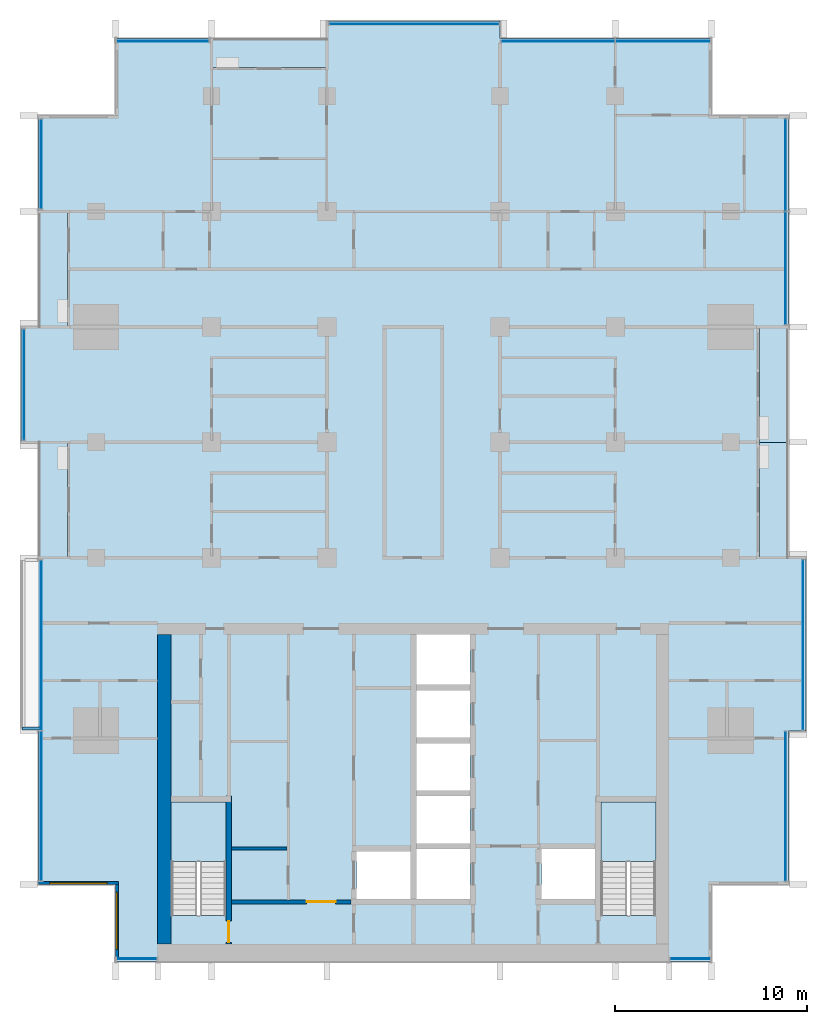
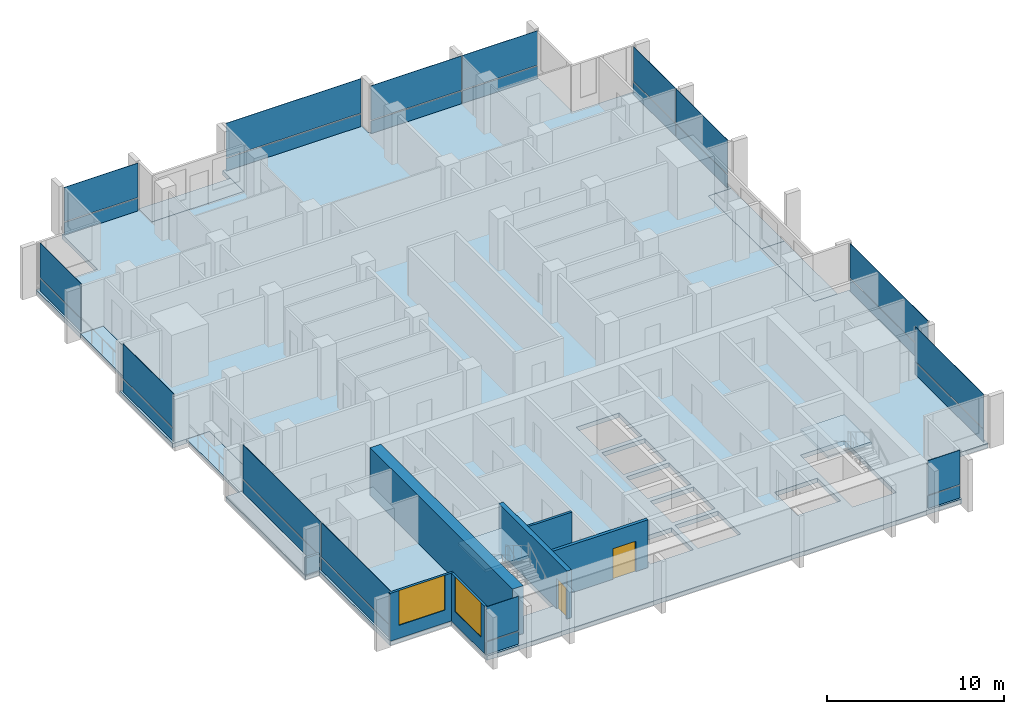
# One storey, part 6 of 17: 28 plates, 8 slabs, 7 walls, 2 doors, 2 windows, 4 openings, 13 elements without a shape of their own.
"""IFC4 building model written with IfcOpenShell, lengths in metres."""

from ifc_helpers import new_model, si_unit, direction, frame, frame_2d, origin, origin_2d, place, context, subcontext, project, spatial, polyline, rectangle, outline, extrude, material, layer, layer_set, type_object, element, fill, aggregate, save


model = new_model("IFC4")

# Units and contexts
model_context = context("Model", 3, precision=1e-05, world=origin(), true_north=direction((0.0, 1.0)))
body_context = subcontext(model_context, "Body", "Model", "MODEL_VIEW")
ifc_project = project(units=[si_unit("LENGTHUNIT", "METRE"), si_unit("AREAUNIT", "SQUARE_METRE"), si_unit("VOLUMEUNIT", "CUBIC_METRE"), si_unit("PLANEANGLEUNIT", "RADIAN"), si_unit("MASSUNIT", "GRAM", prefix="KILO")], contexts=[model_context])

# Site, building, storey
site_placement = place(None, origin())
site = spatial("IfcSite", under=ifc_project, at=site_placement, CompositionType="ELEMENT")
building_placement = place(site_placement, origin())
building = spatial("IfcBuilding", under=site, at=building_placement, Name="Finial Court Residences", CompositionType="ELEMENT")
storey_placement = place(building_placement, frame((0.0, 0.0, 167.300048828125)))
storey = spatial("IfcBuildingStorey", under=building, at=storey_placement, Name="L41", CompositionType="ELEMENT", Elevation=167.300048828125)

# Slabs
ifc_material_1 = material(Name="Concrete C35/45", Category="concrete")
ifc_layer_1 = layer(ifc_material_1, 0.199951171875)
ifc_layer_set_1 = layer_set([ifc_layer_1], Name="Balcony slab, Concrete C35/45 200")
slab_type_1 = type_object("IfcSlabType", Name="Balcony slab, Concrete C35/45 200", PredefinedType="FLOOR", material=ifc_layer_set_1)
slab_1_placement = place(storey_placement, frame((0.0, 0.0, -0.199951171875)))
element("IfcSlab", 1, at=slab_1_placement, inside=storey, type_object=slab_type_1, Name="Balcony L41-N2", PredefinedType="FLOOR", context=body_context, shape_type="SweptSolid", body=[
    extrude(outline(polyline([(-4.5, 21.0), (-4.5, 22.5), (-10.5, 22.5), (-10.5, 21.0), (-4.5, 21.0)])), origin(), (0.0, 0.0, 1.0), 0.199951171875),
])
slab_2_placement = place(storey_placement, frame((0.0, 0.0, -0.199951171875)))
element("IfcSlab", 2, at=slab_2_placement, inside=storey, type_object=slab_type_1, Name="Balcony L41-E3", PredefinedType="FLOOR", context=body_context, shape_type="SweptSolid", body=[
    extrude(outline(polyline([(19.5, -4.5), (19.5, 1.5), (18.0, 1.5), (18.0, -4.5), (19.5, -4.5)])), origin(), (0.0, 0.0, 1.0), 0.199951171875),
])
slab_3_placement = place(storey_placement, frame((0.0, 0.0, -0.199951171875)))
element("IfcSlab", 3, at=slab_3_placement, inside=storey, type_object=slab_type_1, Name="Balcony L41-E4", PredefinedType="FLOOR", context=body_context, shape_type="SweptSolid", body=[
    extrude(outline(polyline([(19.5, 1.5), (19.5, 7.5), (18.0, 7.5), (18.0, 1.5), (19.5, 1.5)])), origin(), (0.0, 0.0, 1.0), 0.199951171875),
])
slab_4_placement = place(storey_placement, frame((0.0, 0.0, -0.199951171875)))
element("IfcSlab", 4, at=slab_4_placement, inside=storey, type_object=slab_type_1, Name="Balcony L41-W3", PredefinedType="FLOOR", context=body_context, shape_type="SweptSolid", body=[
    extrude(outline(polyline([(-18.0, -4.5), (-18.0, 1.5), (-19.5, 1.5), (-19.5, -4.5), (-18.0, -4.5)])), origin(), (0.0, 0.0, 1.0), 0.199951171875),
])
slab_5_placement = place(storey_placement, frame((0.0, 0.0, -0.199951171875)))
element("IfcSlab", 5, at=slab_5_placement, inside=storey, type_object=slab_type_1, Name="Balcony L41-W5", PredefinedType="FLOOR", context=body_context, shape_type="SweptSolid", body=[
    extrude(outline(polyline([(-18.0, 7.5), (-18.0, 13.5), (-19.5, 13.5), (-19.5, 7.5), (-18.0, 7.5)])), origin(), (0.0, 0.0, 1.0), 0.199951171875),
])

# Curtain wall, plate
ifc_material_2 = material(Name="Bronze anodised aluminium", Category="aluminium")
curtain_wall_type = type_object("IfcCurtainWallType", Name="Unitised curtain wall, upper zones", PredefinedType="NOTDEFINED", material=ifc_material_2)
curtain_wall_1_placement = place(storey_placement, origin())
curtain_wall_1 = element("IfcCurtainWall", 6, at=curtain_wall_1_placement, inside=storey, type_object=curtain_wall_type, Name="E-L41-CW-N1", PredefinedType="NOTDEFINED")
ifc_layer_2 = layer(ifc_material_2, 0.035888671875)
ifc_layer_set_2 = layer_set([ifc_layer_2], Name="CW2 spandrel panel 36")
plate_type_1 = type_object("IfcPlateType", Name="CW2 spandrel panel 36", PredefinedType="CURTAIN_PANEL", material=ifc_layer_set_2)
plate_1_placement = place(storey_placement, frame((-13.03759765625, 22.35009765625, 0.0), z_axis=(0.0, 0.0, 1.0), x_axis=(1.0, 0.0, 0.0)))
plate_1 = element("IfcPlate", 7, at=plate_1_placement, type_object=plate_type_1, Name="CW2 spandrel 1.1", PredefinedType="CURTAIN_PANEL", context=body_context, shape_type="SweptSolid", body=[
    extrude(rectangle(XDim=4.804931640625, YDim=0.035888671875, at=origin_2d()), origin(), (0.0, 0.0, 1.0), 0.8701171875),
])

curtain_wall_2_placement = place(storey_placement, origin())
curtain_wall_2 = element("IfcCurtainWall", 8, at=curtain_wall_2_placement, inside=storey, type_object=curtain_wall_type, Name="E-L41-CW-N2", PredefinedType="NOTDEFINED")
plate_2_placement = place(storey_placement, frame((0.03759765625, 23.25, 0.0), z_axis=(0.0, 0.0, 1.0), x_axis=(1.0, 0.0, 0.0)))
plate_2 = element("IfcPlate", 9, at=plate_2_placement, type_object=plate_type_1, Name="CW2 spandrel 1.1", PredefinedType="CURTAIN_PANEL", context=body_context, shape_type="SweptSolid", body=[
    extrude(rectangle(XDim=8.804931640625, YDim=0.035888671875, at=origin_2d()), origin(), (0.0, 0.0, 1.0), 0.8701171875),
])

# Curtain wall, plates
curtain_wall_3_placement = place(storey_placement, origin())
curtain_wall_3 = element("IfcCurtainWall", 10, at=curtain_wall_3_placement, inside=storey, type_object=curtain_wall_type, Name="E-L41-CW-N3", PredefinedType="NOTDEFINED")
plate_3_placement = place(storey_placement, frame((7.514892578125, 22.35009765625, 0.0), z_axis=(0.0, 0.0, 1.0), x_axis=(1.0, 0.0, 0.0)))
plate_3 = element("IfcPlate", 11, at=plate_3_placement, type_object=plate_type_1, Name="CW2 spandrel 1.1", PredefinedType="CURTAIN_PANEL", context=body_context, shape_type="SweptSolid", body=[
    extrude(rectangle(XDim=5.909912109375, YDim=0.035888671875, at=origin_2d()), origin(), (0.0, 0.0, 1.0), 0.8701171875),
])
plate_4_placement = place(storey_placement, frame((12.985107421875, 22.35009765625, 0.0), z_axis=(0.0, 0.0, 1.0), x_axis=(1.0, 0.0, 0.0)))
plate_4 = element("IfcPlate", 12, at=plate_4_placement, type_object=plate_type_1, Name="CW2 spandrel 2.1", PredefinedType="CURTAIN_PANEL", context=body_context, shape_type="SweptSolid", body=[
    extrude(rectangle(XDim=4.909912109375, YDim=0.035888671875, at=origin_2d()), origin(), (0.0, 0.0, 1.0), 0.8701171875),
])

# Curtain wall, plate
curtain_wall_4_placement = place(storey_placement, origin())
curtain_wall_4 = element("IfcCurtainWall", 13, at=curtain_wall_4_placement, inside=storey, type_object=curtain_wall_type, Name="E-L41-CW-E4", PredefinedType="NOTDEFINED")
plate_5_placement = place(storey_placement, frame((19.35009765625, -17.425048828125, 0.0), z_axis=(0.0, 0.0, 1.0), x_axis=(0.0, 1.0, 0.0)))
plate_5 = element("IfcPlate", 14, at=plate_5_placement, type_object=plate_type_1, Name="CW2 spandrel 1.1", PredefinedType="CURTAIN_PANEL", context=body_context, shape_type="SweptSolid", body=[
    extrude(rectangle(XDim=7.72998046875, YDim=0.035888671875, at=origin_2d()), origin(), (0.0, 0.0, 1.0), 0.8701171875),
])

curtain_wall_5_placement = place(storey_placement, origin())
curtain_wall_5 = element("IfcCurtainWall", 15, at=curtain_wall_5_placement, inside=storey, type_object=curtain_wall_type, Name="E-L41-CW-E5", PredefinedType="NOTDEFINED")
plate_6_placement = place(storey_placement, frame((20.25, -9.03759765625, 0.0), z_axis=(0.0, 0.0, 1.0), x_axis=(0.0, 1.0, 0.0)))
plate_6 = element("IfcPlate", 16, at=plate_6_placement, type_object=plate_type_1, Name="CW2 spandrel 1.1", PredefinedType="CURTAIN_PANEL", context=body_context, shape_type="SweptSolid", body=[
    extrude(rectangle(XDim=8.804931640625, YDim=0.035888671875, at=origin_2d()), origin(), (0.0, 0.0, 1.0), 0.8701171875),
])

# Curtain wall, plates
curtain_wall_6_placement = place(storey_placement, origin())
curtain_wall_6 = element("IfcCurtainWall", 17, at=curtain_wall_6_placement, inside=storey, type_object=curtain_wall_type, Name="E-L41-CW-E6", PredefinedType="NOTDEFINED")
plate_7_placement = place(storey_placement, frame((19.35009765625, 10.552490234375, 0.0), z_axis=(0.0, 0.0, 1.0), x_axis=(0.0, 1.0, 0.0)))
plate_7 = element("IfcPlate", 18, at=plate_7_placement, type_object=plate_type_1, Name="CW2 spandrel 1.1", PredefinedType="CURTAIN_PANEL", context=body_context, shape_type="SweptSolid", body=[
    extrude(rectangle(XDim=5.8349609375, YDim=0.035888671875, at=origin_2d()), origin(), (0.0, 0.0, 1.0), 0.8701171875),
])
plate_8_placement = place(storey_placement, frame((19.35009765625, 15.909912109375, 0.0), z_axis=(0.0, 0.0, 1.0), x_axis=(0.0, 1.0, 0.0)))
plate_8 = element("IfcPlate", 19, at=plate_8_placement, type_object=plate_type_1, Name="CW2 spandrel 2.1", PredefinedType="CURTAIN_PANEL", context=body_context, shape_type="SweptSolid", body=[
    extrude(rectangle(XDim=4.760009765625, YDim=0.035888671875, at=origin_2d()), origin(), (0.0, 0.0, 1.0), 0.8701171875),
])

# Curtain wall, plate
curtain_wall_7_placement = place(storey_placement, origin())
curtain_wall_7 = element("IfcCurtainWall", 20, at=curtain_wall_7_placement, inside=storey, type_object=curtain_wall_type, Name="E-L41-CW-S7", PredefinedType="NOTDEFINED")
plate_9_placement = place(storey_placement, frame((-14.39990234375, -25.35009765625, 0.0), z_axis=(0.0, 0.0, 1.0), x_axis=(1.0, 0.0, 0.0)))
plate_9 = element("IfcPlate", 21, at=plate_9_placement, type_object=plate_type_1, Name="CW2 spandrel 1.1", PredefinedType="CURTAIN_PANEL", context=body_context, shape_type="SweptSolid", body=[
    extrude(rectangle(XDim=2.080078125, YDim=0.035888671875, at=origin_2d()), origin(), (0.0, 0.0, 1.0), 0.8701171875),
])

curtain_wall_8_placement = place(storey_placement, origin())
curtain_wall_8 = element("IfcCurtainWall", 22, at=curtain_wall_8_placement, inside=storey, type_object=curtain_wall_type, Name="E-L41-CW-S8", PredefinedType="NOTDEFINED")
plate_10_placement = place(storey_placement, frame((14.39990234375, -25.35009765625, 0.0), z_axis=(0.0, 0.0, 1.0), x_axis=(1.0, 0.0, 0.0)))
plate_10 = element("IfcPlate", 23, at=plate_10_placement, type_object=plate_type_1, Name="CW2 spandrel 1.1", PredefinedType="CURTAIN_PANEL", context=body_context, shape_type="SweptSolid", body=[
    extrude(rectangle(XDim=2.080078125, YDim=0.035888671875, at=origin_2d()), origin(), (0.0, 0.0, 1.0), 0.8701171875),
])

# Curtain wall, plates
curtain_wall_9_placement = place(storey_placement, origin())
curtain_wall_9 = element("IfcCurtainWall", 24, at=curtain_wall_9_placement, inside=storey, type_object=curtain_wall_type, Name="E-L41-CW-W9", PredefinedType="NOTDEFINED")
plate_11_placement = place(storey_placement, frame((-19.35009765625, -17.409912109375, 0.0), z_axis=(0.0, 0.0, 1.0), x_axis=(0.0, 1.0, 0.0)))
plate_11 = element("IfcPlate", 25, at=plate_11_placement, type_object=plate_type_1, Name="CW2 spandrel 1.1", PredefinedType="CURTAIN_PANEL", context=body_context, shape_type="SweptSolid", body=[
    extrude(rectangle(XDim=7.760009765625, YDim=0.035888671875, at=origin_2d()), origin(), (0.0, 0.0, 1.0), 0.8701171875),
])
plate_12_placement = place(storey_placement, frame((-19.35009765625, -9.052490234375, 0.0), z_axis=(0.0, 0.0, 1.0), x_axis=(0.0, 1.0, 0.0)))
plate_12 = element("IfcPlate", 26, at=plate_12_placement, type_object=plate_type_1, Name="CW2 spandrel 2.1", PredefinedType="CURTAIN_PANEL", context=body_context, shape_type="SweptSolid", body=[
    extrude(rectangle(XDim=8.8349609375, YDim=0.035888671875, at=origin_2d()), origin(), (0.0, 0.0, 1.0), 0.8701171875),
])

# Curtain wall, plate
curtain_wall_10_placement = place(storey_placement, origin())
curtain_wall_10 = element("IfcCurtainWall", 27, at=curtain_wall_10_placement, inside=storey, type_object=curtain_wall_type, Name="E-L41-CW-W10", PredefinedType="NOTDEFINED")
plate_13_placement = place(storey_placement, frame((-20.25, 4.5, 0.0), z_axis=(0.0, 0.0, 1.0), x_axis=(0.0, 1.0, 0.0)))
plate_13 = element("IfcPlate", 28, at=plate_13_placement, type_object=plate_type_1, Name="CW2 spandrel 1.1", PredefinedType="CURTAIN_PANEL", context=body_context, shape_type="SweptSolid", body=[
    extrude(rectangle(XDim=5.72998046875, YDim=0.035888671875, at=origin_2d()), origin(), (0.0, 0.0, 1.0), 0.8701171875),
])

curtain_wall_11_placement = place(storey_placement, origin())
curtain_wall_11 = element("IfcCurtainWall", 29, at=curtain_wall_11_placement, inside=storey, type_object=curtain_wall_type, Name="E-L41-CW-W11", PredefinedType="NOTDEFINED")
plate_14_placement = place(storey_placement, frame((-19.35009765625, 15.96240234375, 0.0), z_axis=(0.0, 0.0, 1.0), x_axis=(0.0, 1.0, 0.0)))
plate_14 = element("IfcPlate", 30, at=plate_14_placement, type_object=plate_type_1, Name="CW2 spandrel 1.1", PredefinedType="CURTAIN_PANEL", context=body_context, shape_type="SweptSolid", body=[
    extrude(rectangle(XDim=4.655029296875, YDim=0.035888671875, at=origin_2d()), origin(), (0.0, 0.0, 1.0), 0.8701171875),
])

# Plate
ifc_material_3 = material(Name="Clear low-e glass", Category="glass")
ifc_layer_3 = layer(ifc_material_3, 0.030029296875)
ifc_layer_set_3 = layer_set([ifc_layer_3], Name="CW2 vision glass 30")
plate_type_2 = type_object("IfcPlateType", Name="CW2 vision glass 30", PredefinedType="CURTAIN_PANEL", material=ifc_layer_set_3)
plate_15_placement = place(storey_placement, frame((-13.03759765625, 22.35009765625, 0.929931640625), z_axis=(0.0, 0.0, 1.0), x_axis=(1.0, 0.0, 0.0)))
plate_15 = element("IfcPlate", 31, at=plate_15_placement, type_object=plate_type_2, Name="CW2 glass 1.2", PredefinedType="CURTAIN_PANEL", context=body_context, shape_type="SweptSolid", body=[
    extrude(rectangle(XDim=4.804931640625, YDim=0.030029296875, at=origin_2d()), origin(), (0.0, 0.0, 1.0), 2.3701171875),
])

aggregate(curtain_wall_1, [plate_1, plate_15])

plate_16_placement = place(storey_placement, frame((0.03759765625, 23.25, 0.929931640625), z_axis=(0.0, 0.0, 1.0), x_axis=(1.0, 0.0, 0.0)))
plate_16 = element("IfcPlate", 32, at=plate_16_placement, type_object=plate_type_2, Name="CW2 glass 1.2", PredefinedType="CURTAIN_PANEL", context=body_context, shape_type="SweptSolid", body=[
    extrude(rectangle(XDim=8.804931640625, YDim=0.030029296875, at=origin_2d()), origin(), (0.0, 0.0, 1.0), 2.3701171875),
])

aggregate(curtain_wall_2, [plate_2, plate_16])

plate_17_placement = place(storey_placement, frame((7.514892578125, 22.35009765625, 0.929931640625), z_axis=(0.0, 0.0, 1.0), x_axis=(1.0, 0.0, 0.0)))
plate_17 = element("IfcPlate", 33, at=plate_17_placement, type_object=plate_type_2, Name="CW2 glass 1.2", PredefinedType="CURTAIN_PANEL", context=body_context, shape_type="SweptSolid", body=[
    extrude(rectangle(XDim=5.909912109375, YDim=0.030029296875, at=origin_2d()), origin(), (0.0, 0.0, 1.0), 2.3701171875),
])

plate_18_placement = place(storey_placement, frame((12.985107421875, 22.35009765625, 0.929931640625), z_axis=(0.0, 0.0, 1.0), x_axis=(1.0, 0.0, 0.0)))
plate_18 = element("IfcPlate", 34, at=plate_18_placement, type_object=plate_type_2, Name="CW2 glass 2.2", PredefinedType="CURTAIN_PANEL", context=body_context, shape_type="SweptSolid", body=[
    extrude(rectangle(XDim=4.909912109375, YDim=0.030029296875, at=origin_2d()), origin(), (0.0, 0.0, 1.0), 2.3701171875),
])

aggregate(curtain_wall_3, [plate_3, plate_17, plate_4, plate_18])

plate_19_placement = place(storey_placement, frame((19.35009765625, -17.425048828125, 0.929931640625), z_axis=(0.0, 0.0, 1.0), x_axis=(0.0, 1.0, 0.0)))
plate_19 = element("IfcPlate", 35, at=plate_19_placement, type_object=plate_type_2, Name="CW2 glass 1.2", PredefinedType="CURTAIN_PANEL", context=body_context, shape_type="SweptSolid", body=[
    extrude(rectangle(XDim=7.72998046875, YDim=0.030029296875, at=origin_2d()), origin(), (0.0, 0.0, 1.0), 2.3701171875),
])

aggregate(curtain_wall_4, [plate_5, plate_19])

plate_20_placement = place(storey_placement, frame((20.25, -9.03759765625, 0.929931640625), z_axis=(0.0, 0.0, 1.0), x_axis=(0.0, 1.0, 0.0)))
plate_20 = element("IfcPlate", 36, at=plate_20_placement, type_object=plate_type_2, Name="CW2 glass 1.2", PredefinedType="CURTAIN_PANEL", context=body_context, shape_type="SweptSolid", body=[
    extrude(rectangle(XDim=8.804931640625, YDim=0.030029296875, at=origin_2d()), origin(), (0.0, 0.0, 1.0), 2.3701171875),
])

aggregate(curtain_wall_5, [plate_6, plate_20])

plate_21_placement = place(storey_placement, frame((19.35009765625, 10.552490234375, 0.929931640625), z_axis=(0.0, 0.0, 1.0), x_axis=(0.0, 1.0, 0.0)))
plate_21 = element("IfcPlate", 37, at=plate_21_placement, type_object=plate_type_2, Name="CW2 glass 1.2", PredefinedType="CURTAIN_PANEL", context=body_context, shape_type="SweptSolid", body=[
    extrude(rectangle(XDim=5.8349609375, YDim=0.030029296875, at=origin_2d()), origin(), (0.0, 0.0, 1.0), 2.3701171875),
])

plate_22_placement = place(storey_placement, frame((19.35009765625, 15.909912109375, 0.929931640625), z_axis=(0.0, 0.0, 1.0), x_axis=(0.0, 1.0, 0.0)))
plate_22 = element("IfcPlate", 38, at=plate_22_placement, type_object=plate_type_2, Name="CW2 glass 2.2", PredefinedType="CURTAIN_PANEL", context=body_context, shape_type="SweptSolid", body=[
    extrude(rectangle(XDim=4.760009765625, YDim=0.030029296875, at=origin_2d()), origin(), (0.0, 0.0, 1.0), 2.3701171875),
])

aggregate(curtain_wall_6, [plate_7, plate_21, plate_8, plate_22])

plate_23_placement = place(storey_placement, frame((-14.39990234375, -25.35009765625, 0.929931640625), z_axis=(0.0, 0.0, 1.0), x_axis=(1.0, 0.0, 0.0)))
plate_23 = element("IfcPlate", 39, at=plate_23_placement, type_object=plate_type_2, Name="CW2 glass 1.2", PredefinedType="CURTAIN_PANEL", context=body_context, shape_type="SweptSolid", body=[
    extrude(rectangle(XDim=2.080078125, YDim=0.030029296875, at=origin_2d()), origin(), (0.0, 0.0, 1.0), 2.3701171875),
])

aggregate(curtain_wall_7, [plate_9, plate_23])

plate_24_placement = place(storey_placement, frame((14.39990234375, -25.35009765625, 0.929931640625), z_axis=(0.0, 0.0, 1.0), x_axis=(1.0, 0.0, 0.0)))
plate_24 = element("IfcPlate", 40, at=plate_24_placement, type_object=plate_type_2, Name="CW2 glass 1.2", PredefinedType="CURTAIN_PANEL", context=body_context, shape_type="SweptSolid", body=[
    extrude(rectangle(XDim=2.080078125, YDim=0.030029296875, at=origin_2d()), origin(), (0.0, 0.0, 1.0), 2.3701171875),
])

aggregate(curtain_wall_8, [plate_10, plate_24])

plate_25_placement = place(storey_placement, frame((-19.35009765625, -17.409912109375, 0.929931640625), z_axis=(0.0, 0.0, 1.0), x_axis=(0.0, 1.0, 0.0)))
plate_25 = element("IfcPlate", 41, at=plate_25_placement, type_object=plate_type_2, Name="CW2 glass 1.2", PredefinedType="CURTAIN_PANEL", context=body_context, shape_type="SweptSolid", body=[
    extrude(rectangle(XDim=7.760009765625, YDim=0.030029296875, at=origin_2d()), origin(), (0.0, 0.0, 1.0), 2.3701171875),
])

plate_26_placement = place(storey_placement, frame((-19.35009765625, -9.052490234375, 0.929931640625), z_axis=(0.0, 0.0, 1.0), x_axis=(0.0, 1.0, 0.0)))
plate_26 = element("IfcPlate", 42, at=plate_26_placement, type_object=plate_type_2, Name="CW2 glass 2.2", PredefinedType="CURTAIN_PANEL", context=body_context, shape_type="SweptSolid", body=[
    extrude(rectangle(XDim=8.8349609375, YDim=0.030029296875, at=origin_2d()), origin(), (0.0, 0.0, 1.0), 2.3701171875),
])

aggregate(curtain_wall_9, [plate_11, plate_25, plate_12, plate_26])

plate_27_placement = place(storey_placement, frame((-20.25, 4.5, 0.929931640625), z_axis=(0.0, 0.0, 1.0), x_axis=(0.0, 1.0, 0.0)))
plate_27 = element("IfcPlate", 43, at=plate_27_placement, type_object=plate_type_2, Name="CW2 glass 1.2", PredefinedType="CURTAIN_PANEL", context=body_context, shape_type="SweptSolid", body=[
    extrude(rectangle(XDim=5.72998046875, YDim=0.030029296875, at=origin_2d()), origin(), (0.0, 0.0, 1.0), 2.3701171875),
])

aggregate(curtain_wall_10, [plate_13, plate_27])

plate_28_placement = place(storey_placement, frame((-19.35009765625, 15.96240234375, 0.929931640625), z_axis=(0.0, 0.0, 1.0), x_axis=(0.0, 1.0, 0.0)))
plate_28 = element("IfcPlate", 44, at=plate_28_placement, type_object=plate_type_2, Name="CW2 glass 1.2", PredefinedType="CURTAIN_PANEL", context=body_context, shape_type="SweptSolid", body=[
    extrude(rectangle(XDim=4.655029296875, YDim=0.030029296875, at=origin_2d()), origin(), (0.0, 0.0, 1.0), 2.3701171875),
])

aggregate(curtain_wall_11, [plate_14, plate_28])

# Stair, slab
ifc_material_4 = material(Name="Concrete C50/60", Category="concrete")
stair_type = type_object("IfcStairType", Name="Exit stair 22 risers of 163.6 mm", PredefinedType="HALF_TURN_STAIR", material=ifc_material_4)
stair_1_placement = place(storey_placement, origin())
stair_1 = element("IfcStair", 45, at=stair_1_placement, inside=storey, type_object=stair_type, Name="L41 Exit stair ST-1", PredefinedType="HALF_TURN_STAIR")
ifc_layer_4 = layer(ifc_material_4, 0.199951171875)
ifc_layer_set_4 = layer_set([ifc_layer_4], Name="Exit stair landing")
slab_type_2 = type_object("IfcSlabType", Name="Exit stair landing", PredefinedType="LANDING", material=ifc_layer_set_4)
slab_6_placement = place(storey_placement, frame((0.0, 0.0, 1.599853515625)))
slab_6 = element("IfcSlab", 46, at=slab_6_placement, type_object=slab_type_2, Name="ST-1 landing 1", PredefinedType="LANDING", context=body_context, shape_type="SweptSolid", body=[
    extrude(outline(polyline([(-9.75, -20.300048828125), (-9.75, -17.199951171875), (-12.60009765625, -17.199951171875), (-12.60009765625, -20.300048828125), (-9.75, -20.300048828125)])), origin(), (0.0, 0.0, 1.0), 0.2001953125),
])
aggregate(stair_1, [slab_6])

stair_2_placement = place(storey_placement, origin())
stair_2 = element("IfcStair", 47, at=stair_2_placement, inside=storey, type_object=stair_type, Name="L41 Exit stair ST-2", PredefinedType="HALF_TURN_STAIR")
slab_7_placement = place(storey_placement, frame((0.0, 0.0, 1.599853515625)))
slab_7 = element("IfcSlab", 48, at=slab_7_placement, type_object=slab_type_2, Name="ST-2 landing 1", PredefinedType="LANDING", context=body_context, shape_type="SweptSolid", body=[
    extrude(outline(polyline([(12.60009765625, -20.300048828125), (12.60009765625, -17.199951171875), (9.75, -17.199951171875), (9.75, -20.300048828125), (12.60009765625, -20.300048828125)])), origin(), (0.0, 0.0, 1.0), 0.2001953125),
])
aggregate(stair_2, [slab_7])

# Slab
ifc_material_5 = material(Name="Concrete C40/50", Category="concrete")
ifc_layer_5 = layer(ifc_material_5, 0.300048828125)
ifc_layer_set_5 = layer_set([ifc_layer_5], Name="Flat plate slab 300 Concrete C40/50")
slab_type_3 = type_object("IfcSlabType", Name="Flat plate slab 300 Concrete C40/50", PredefinedType="FLOOR", material=ifc_layer_set_5)
slab_8_placement = place(storey_placement, frame((0.0, 0.0, -0.300048828125)))
element("IfcSlab", 49, at=slab_8_placement, inside=storey, type_object=slab_type_3, Name="S:SLAB:L41", PredefinedType="FLOOR", context=body_context, shape_type="SweptSolid", body=[
    extrude(outline(polyline([(-20.39990234375, -13.5), (-20.39990234375, -4.5), (-19.5, -4.5), (-18.0, -4.5), (-18.0, 1.5), (-19.5, 1.5), (-20.39990234375, 1.5), (-20.39990234375, 7.5), (-19.5, 7.5), (-18.0, 7.5), (-18.0, 13.5), (-19.5, 13.5), (-19.5, 18.5), (-15.5, 18.5), (-15.5, 22.5), (-10.5, 22.5), (-10.5, 21.0), (-4.5, 21.0), (-4.5, 22.5), (-4.5, 23.39990234375), (4.5, 23.39990234375), (4.5, 22.5), (15.5, 22.5), (15.5, 18.5), (19.5, 18.5), (19.5, 7.5), (18.0, 7.5), (18.0, 1.5), (18.0, -4.5), (19.5, -4.5), (20.39990234375, -4.5), (20.39990234375, -13.5), (19.5, -13.5), (19.5, -21.5), (15.5, -21.5), (15.5, -25.5), (-15.5, -25.5), (-15.5, -21.5), (-19.5, -21.5), (-19.5, -13.5), (-20.39990234375, -13.5)]), holes=[polyline([(-0.14990234375, -19.77001953125), (-2.949951171875, -19.77001953125), (-2.949951171875, -22.25), (-0.14990234375, -22.25), (-0.14990234375, -19.77001953125)]), polyline([(2.949951171875, -19.64990234375), (0.14990234375, -19.64990234375), (0.14990234375, -22.25), (2.949951171875, -22.25), (2.949951171875, -19.64990234375)]), polyline([(9.449951171875, -19.64990234375), (6.64990234375, -19.64990234375), (6.64990234375, -22.25), (9.449951171875, -22.25), (9.449951171875, -19.64990234375)]), polyline([(-12.60009765625, -17.199951171875), (-12.60009765625, -23.09912109375), (-9.75, -23.09912109375), (-9.75, -17.199951171875), (-12.60009765625, -17.199951171875)]), polyline([(9.75, -17.199951171875), (9.75, -23.09912109375), (12.60009765625, -23.09912109375), (12.60009765625, -17.199951171875), (9.75, -17.199951171875)]), polyline([(2.949951171875, -16.89990234375), (0.14990234375, -16.89990234375), (0.14990234375, -19.35009765625), (2.949951171875, -19.35009765625), (2.949951171875, -16.89990234375)]), polyline([(2.949951171875, -14.14990234375), (0.14990234375, -14.14990234375), (0.14990234375, -16.60009765625), (2.949951171875, -16.60009765625), (2.949951171875, -14.14990234375)]), polyline([(2.949951171875, -13.85009765625), (2.949951171875, -11.39990234375), (0.14990234375, -11.39990234375), (0.14990234375, -13.85009765625), (2.949951171875, -13.85009765625)]), polyline([(2.949951171875, -11.10009765625), (2.949951171875, -8.5), (0.14990234375, -8.5), (0.14990234375, -11.10009765625), (2.949951171875, -11.10009765625)])]), origin(), (0.0, 0.0, 1.0), 0.300048828125),
])

# Walls
ifc_material_6 = material(Name="Concrete C70/85", Category="concrete")
ifc_layer_6 = layer(ifc_material_6, 0.699951171875)
ifc_layer_set_6 = layer_set([ifc_layer_6], Name="Core outer wall 700 Concrete C70/85")
wall_type_1 = type_object("IfcWallType", Name="Core outer wall 700 Concrete C70/85", PredefinedType="SHEAR", material=ifc_layer_set_6)
wall_1_placement = place(storey_placement, frame((-12.949951171875, -24.60009765625, 0.0), z_axis=(0.0, 0.0, 1.0), x_axis=(0.0, 1.0, 0.0)))
element("IfcWall", 50, at=wall_1_placement, inside=storey, type_object=wall_type_1, Name="Core outer wall L41-03", PredefinedType="SHEAR", context=body_context, shape_type="SweptSolid", body=[
    extrude(rectangle(XDim=16.10009765625, YDim=0.699951171875, at=frame_2d((8.050048828125, 0.0))), origin(), (0.0, 0.0, 1.0), 3.300048828125),
])
ifc_material_7 = material(Name="Fire-rated gypsum board partition")
ifc_layer_7 = layer(ifc_material_7, 0.14990234375)
ifc_layer_set_7 = layer_set([ifc_layer_7], Name="Core room partition 150 EI 60")
wall_type_2 = type_object("IfcWallType", Name="Core room partition 150 EI 60", PredefinedType="PARTITIONING", material=ifc_layer_set_7)
wall_2_placement = place(storey_placement, frame((-9.449951171875, -19.6201171875, 0.0), z_axis=(0.0, 0.0, 1.0), x_axis=(1.0, 0.0, 0.0)))
element("IfcWall", 51, at=wall_2_placement, inside=storey, type_object=wall_type_2, Name="Core partition L41-04", PredefinedType="PARTITIONING", context=body_context, shape_type="SweptSolid", body=[
    extrude(rectangle(XDim=2.875, YDim=0.14990234375, at=frame_2d((1.4375, 0.0))), origin(), (0.0, 0.0, 1.0), 3.300048828125),
])
ifc_layer_8 = layer(ifc_material_1, 0.14990234375)
ifc_layer_set_8 = layer_set([ifc_layer_8], Name="Ledge parapet, Concrete C35/45 150")
wall_type_3 = type_object("IfcWallType", Name="Ledge parapet, Concrete C35/45 150", PredefinedType="PARAPET", material=ifc_layer_set_8)
wall_3_placement = place(storey_placement, frame((-19.447509765625, -13.375, 0.0), z_axis=(0.0, 0.0, 1.0), x_axis=(-1.0, 0.0, 0.0)))
element("IfcWall", 52, at=wall_3_placement, inside=storey, type_object=wall_type_3, Name="E-L41-LED1-P1", PredefinedType="PARAPET", context=body_context, shape_type="SweptSolid", body=[
    extrude(rectangle(XDim=0.902587890625, YDim=0.14990234375, at=frame_2d((0.451171875, 0.0))), origin(), (0.0, 0.0, 1.0), 1.14990234375),
])

# Wall, opening, door
ifc_layer_9 = layer(ifc_material_6, 0.300048828125)
ifc_layer_set_9 = layer_set([ifc_layer_9], Name="Lift shaft and stair wall 300 Concrete C70/85")
wall_type_4 = type_object("IfcWallType", Name="Lift shaft and stair wall 300 Concrete C70/85", PredefinedType="SHEAR", material=ifc_layer_set_9)
wall_4_placement = place(storey_placement, frame((-9.60009765625, -24.60009765625, 0.0), z_axis=(0.0, 0.0, 1.0), x_axis=(0.0, 1.0, 0.0)))
wall_4 = element("IfcWall", 53, at=wall_4_placement, inside=storey, type_object=wall_type_4, Name="Core wall L41-20", PredefinedType="SHEAR", context=body_context, shape_type="SweptSolid", body=[
    extrude(rectangle(XDim=7.7001953125, YDim=0.300048828125, at=frame_2d((3.85009765625, 0.0))), origin(), (0.0, 0.0, 1.0), 3.300048828125),
])
opening_1_placement = place(wall_4_placement, frame((0.10009765625, 0.0, 0.0)))
opening_1 = element("IfcOpeningElement", 54, at=opening_1_placement, cuts=wall_4, Name="Opening L41-C19", PredefinedType="OPENING", context=body_context, shape_type="SweptSolid", body=[
    extrude(rectangle(XDim=1.10009765625, YDim=2.10009765625, at=frame_2d((0.550048828125, 1.050048828125))), frame((0.0, 0.159912109375, 0.0), z_axis=(0.0, -1.0, 0.0), x_axis=(1.0, 0.0, 0.0)), (0.0, 0.0, 1.0), 0.320068359375),
])
ifc_material_8 = material(Name="Steel fire door", Category="steel")
door_type_1 = type_object("IfcDoorType", Name="Stair door 1100 x 2100 EI 90", OperationType="NOTDEFINED", PredefinedType="DOOR", material=ifc_material_8)
door_1_placement = place(opening_1_placement, origin())
door_1 = element("IfcDoor", 55, at=door_1_placement, inside=storey, type_object=door_type_1, Name="Stair door L41-C19", OperationType="SINGLE_SWING_LEFT", OverallHeight=2.10009765625, OverallWidth=1.10009765625, PredefinedType="DOOR", context=body_context, shape_type="SweptSolid", body=[
    extrude(rectangle(XDim=1.10009765625, YDim=2.10009765625, at=frame_2d((0.550048828125, 1.050048828125))), frame((0.0, 0.02490234375, 0.0), z_axis=(0.0, -1.0, 0.0), x_axis=(1.0, 0.0, 0.0)), (0.0, 0.0, 1.0), 0.050048828125),
])
fill(opening_1, door_1)

# Wall, opening, window
ifc_material_9 = material(Name="Natural limestone", Category="masonry")
ifc_layer_10 = layer(ifc_material_9, 0.14990234375)
ifc_layer_set_10 = layer_set([ifc_layer_10], Name="Limestone clad wall 150")
wall_type_5 = type_object("IfcWallType", Name="Limestone clad wall 150", PredefinedType="SOLIDWALL", material=ifc_layer_set_10)
wall_5_placement = place(storey_placement, frame((-15.425048828125, -25.262451171875, 0.0), z_axis=(0.0, 0.0, 1.0), x_axis=(0.0, 1.0, 0.0)))
wall_5 = element("IfcWall", 56, at=wall_5_placement, inside=storey, type_object=wall_type_5, Name="E-L41-NWW12", PredefinedType="SOLIDWALL", context=body_context, shape_type="SweptSolid", body=[
    extrude(rectangle(XDim=3.762451171875, YDim=0.14990234375, at=frame_2d((1.88134765625, 0.0))), origin(), (0.0, 0.0, 1.0), 3.300048828125),
])
opening_2_placement = place(wall_5_placement, frame((0.401123046875, 0.0, 0.89990234375)))
opening_2 = element("IfcOpeningElement", 57, at=opening_2_placement, cuts=wall_5, Name="Opening WE41-01", PredefinedType="OPENING", context=body_context, shape_type="SweptSolid", body=[
    extrude(rectangle(XDim=2.9599609375, YDim=2.39990234375, at=frame_2d((1.47998046875, 1.199951171875))), frame((0.0, 0.0849609375, 0.0), z_axis=(0.0, -1.0, 0.0), x_axis=(1.0, 0.0, 0.0)), (0.0, 0.0, 1.0), 0.169921875),
])
window_type_1 = type_object("IfcWindowType", Name="Corner window 2960 x 2400", PartitioningType="SINGLE_PANEL", PredefinedType="WINDOW", material=ifc_material_3)
window_1_placement = place(opening_2_placement, origin())
window_1 = element("IfcWindow", 58, at=window_1_placement, inside=storey, type_object=window_type_1, Name="E-L41-NWW12-W1", OverallHeight=2.39990234375, OverallWidth=2.9599609375, PartitioningType="SINGLE_PANEL", PredefinedType="WINDOW", context=body_context, shape_type="SweptSolid", body=[
    extrude(rectangle(XDim=2.9599609375, YDim=2.39990234375, at=frame_2d((1.47998046875, 1.199951171875))), frame((0.0, 0.030029296875, 0.0), z_axis=(0.0, -1.0, 0.0), x_axis=(1.0, 0.0, 0.0)), (0.0, 0.0, 1.0), 0.06005859375),
])
fill(opening_2, window_1)

wall_6_placement = place(storey_placement, frame((-15.35009765625, -21.425048828125, 0.0), z_axis=(0.0, 0.0, 1.0), x_axis=(-1.0, 0.0, 0.0)))
wall_6 = element("IfcWall", 59, at=wall_6_placement, inside=storey, type_object=wall_type_5, Name="E-L41-NWS13", PredefinedType="SOLIDWALL", context=body_context, shape_type="SweptSolid", body=[
    extrude(rectangle(XDim=4.14990234375, YDim=0.14990234375, at=frame_2d((2.074951171875, 0.0))), origin(), (0.0, 0.0, 1.0), 3.300048828125),
])
opening_3_placement = place(wall_6_placement, frame((0.574951171875, 0.0, 0.89990234375)))
opening_3 = element("IfcOpeningElement", 60, at=opening_3_placement, cuts=wall_6, Name="Opening WE41-02", PredefinedType="OPENING", context=body_context, shape_type="SweptSolid", body=[
    extrude(rectangle(XDim=3.0, YDim=2.39990234375, at=frame_2d((1.5, 1.199951171875))), frame((0.0, 0.0849609375, 0.0), z_axis=(0.0, -1.0, 0.0), x_axis=(1.0, 0.0, 0.0)), (0.0, 0.0, 1.0), 0.169921875),
])
window_type_2 = type_object("IfcWindowType", Name="Corner window 3000 x 2400", PartitioningType="SINGLE_PANEL", PredefinedType="WINDOW", material=ifc_material_3)
window_2_placement = place(opening_3_placement, origin())
window_2 = element("IfcWindow", 61, at=window_2_placement, inside=storey, type_object=window_type_2, Name="E-L41-NWS13-W1", OverallHeight=2.39990234375, OverallWidth=3.0, PartitioningType="SINGLE_PANEL", PredefinedType="WINDOW", context=body_context, shape_type="SweptSolid", body=[
    extrude(rectangle(XDim=3.0, YDim=2.39990234375, at=frame_2d((1.5, 1.199951171875))), frame((0.0, 0.030029296875, 0.0), z_axis=(0.0, -1.0, 0.0), x_axis=(1.0, 0.0, 0.0)), (0.0, 0.0, 1.0), 0.06005859375),
])
fill(opening_3, window_2)

# Wall, opening, door
ifc_layer_11 = layer(ifc_material_7, 0.199951171875)
ifc_layer_set_11 = layer_set([ifc_layer_11], Name="Stair passage wall 200 EI 180")
wall_type_6 = type_object("IfcWallType", Name="Stair passage wall 200 EI 180", PredefinedType="PARTITIONING", material=ifc_layer_set_11)
wall_7_placement = place(storey_placement, frame((-3.25, -22.39990234375, 0.0), z_axis=(0.0, 0.0, 1.0), x_axis=(-1.0, 0.0, 0.0)))
wall_7 = element("IfcWall", 62, at=wall_7_placement, inside=storey, type_object=wall_type_6, Name="Core partition L41-01", PredefinedType="PARTITIONING", context=body_context, shape_type="SweptSolid", body=[
    extrude(rectangle(XDim=6.199951171875, YDim=0.199951171875, at=frame_2d((3.10009765625, 0.0))), origin(), (0.0, 0.0, 1.0), 3.300048828125),
])
opening_4_placement = place(wall_7_placement, frame((0.800048828125, 0.0, 0.0)))
opening_4 = element("IfcOpeningElement", 63, at=opening_4_placement, cuts=wall_7, Name="Opening L41-C03", PredefinedType="OPENING", context=body_context, shape_type="SweptSolid", body=[
    extrude(rectangle(XDim=1.5, YDim=2.10009765625, at=frame_2d((0.75, 1.050048828125))), frame((0.0, 0.10986328125, 0.0), z_axis=(0.0, -1.0, 0.0), x_axis=(1.0, 0.0, 0.0)), (0.0, 0.0, 1.0), 0.219970703125),
])
door_type_2 = type_object("IfcDoorType", Name="Lift lobby door 1500 x 2100 EI 60", OperationType="DOUBLE_DOOR_SINGLE_SWING", PredefinedType="DOOR", material=ifc_material_8)
door_2_placement = place(opening_4_placement, origin())
door_2 = element("IfcDoor", 64, at=door_2_placement, inside=storey, type_object=door_type_2, Name="Lift lobby door L41-C03", OperationType="DOUBLE_DOOR_SINGLE_SWING", OverallHeight=2.10009765625, OverallWidth=1.5, PredefinedType="DOOR", context=body_context, shape_type="SweptSolid", body=[
    extrude(rectangle(XDim=1.5, YDim=2.10009765625, at=frame_2d((0.75, 1.050048828125))), frame((0.0, 0.02490234375, 0.0), z_axis=(0.0, -1.0, 0.0), x_axis=(1.0, 0.0, 0.0)), (0.0, 0.0, 1.0), 0.050048828125),
])
fill(opening_4, door_2)

save(model, "model.ifc")
